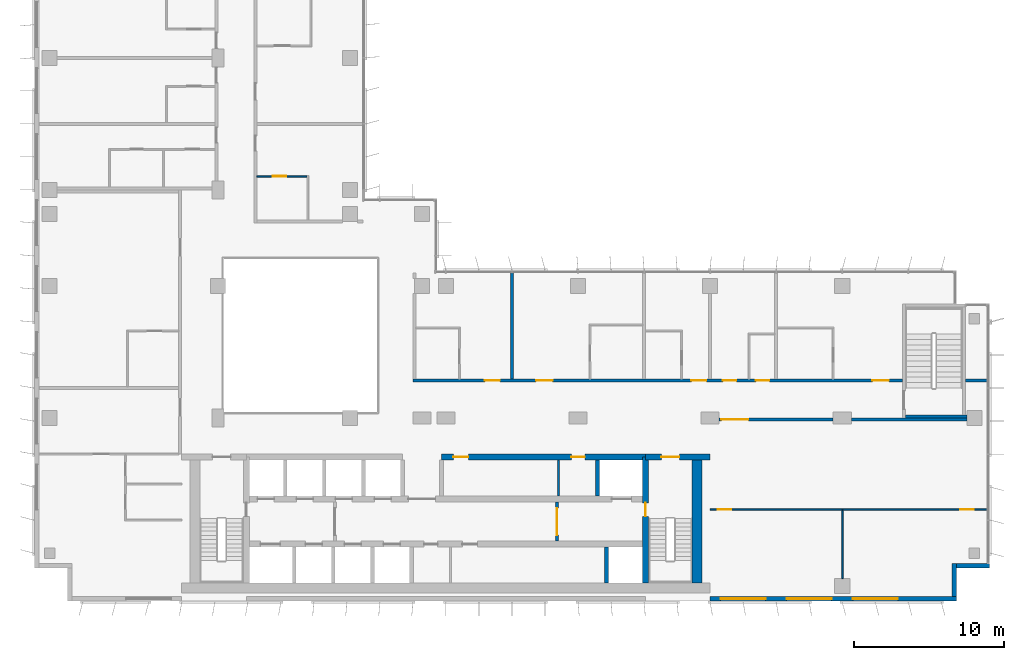
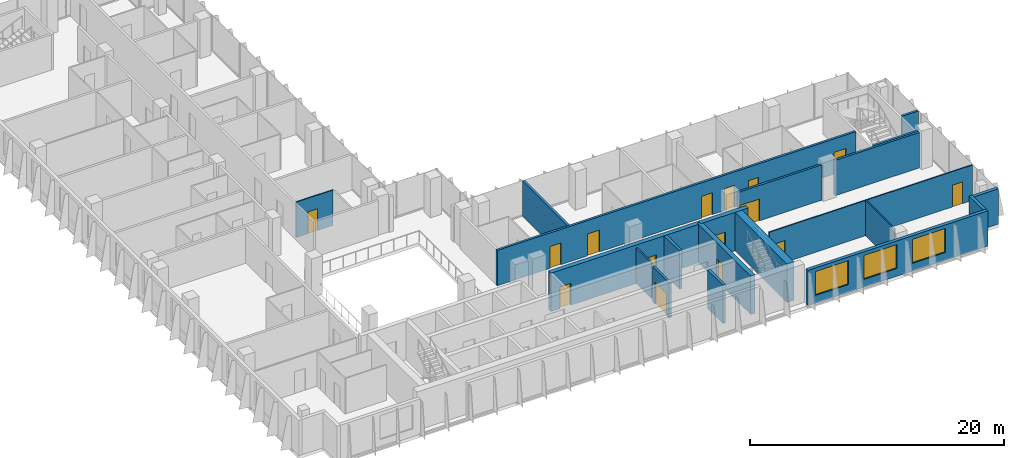
# One storey, part 14 of 21: 20 walls, 15 doors, 3 windows, 18 openings.
"""IFC4 building model written with IfcOpenShell, lengths in metres."""

from ifc_helpers import new_model, si_unit, direction, frame, frame_2d, origin, place, context, subcontext, project, spatial, rectangle, extrude, material, layer, layer_set, type_object, element, fill, save


model = new_model("IFC4")

# Units and contexts
model_context = context("Model", 3, precision=1e-05, world=origin(), true_north=direction((0.0, 1.0)))
body_context = subcontext(model_context, "Body", "Model", "MODEL_VIEW")
ifc_project = project(units=[si_unit("LENGTHUNIT", "METRE"), si_unit("AREAUNIT", "SQUARE_METRE"), si_unit("VOLUMEUNIT", "CUBIC_METRE"), si_unit("PLANEANGLEUNIT", "RADIAN"), si_unit("MASSUNIT", "GRAM", prefix="KILO")], contexts=[model_context])

# Site, building, storey
site_placement = place(None, origin())
site = spatial("IfcSite", under=ifc_project, at=site_placement, CompositionType="ELEMENT")
building_placement = place(site_placement, origin())
building = spatial("IfcBuilding", under=site, at=building_placement, Name="Kemantara Hotel Tower", CompositionType="ELEMENT")
storey_placement = place(building_placement, frame((0.0, 0.0, 179.0)))
storey = spatial("IfcBuildingStorey", under=building, at=storey_placement, Name="L44", CompositionType="ELEMENT", Elevation=179.0)

# Wall, openings, windows
ifc_material_1 = material(Name="Bronze anodised aluminium cladding on insulated steel stud wall", Category="steel")
ifc_layer_1 = layer(ifc_material_1, 0.300048828125)
ifc_layer_set_1 = layer_set([ifc_layer_1], Name="Bronze anodised aluminium cladding on insulated steel stud wall")
wall_type_1 = type_object("IfcWallType", Name="BRONZE METAL-CLAD EXTERNAL WALL 300", PredefinedType="STANDARD", material=ifc_layer_set_1)
wall_1_placement = place(storey_placement, frame((45.0, 0.14990234375, 0.0), z_axis=(0.0, 0.0, 1.0), x_axis=(1.0, 0.0, 0.0)))
wall_1 = element("IfcWall", 1, at=wall_1_placement, inside=storey, type_object=wall_type_1, Name="EXTERNAL WALL L44 T3-R08-3", PredefinedType="STANDARD", context=body_context, shape_type="SweptSolid", body=[
    extrude(rectangle(XDim=16.39990234375, YDim=0.300048828125, at=frame_2d((8.199951171875, 0.0))), origin(), (0.0, 0.0, 1.0), 3.39990234375),
])
opening_1_placement = place(wall_1_placement, frame((0.699951171875, 0.0, 0.75)))
opening_1 = element("IfcOpeningElement", 2, at=opening_1_placement, cuts=wall_1, Name="Opening W1", PredefinedType="OPENING", context=body_context, shape_type="SweptSolid", body=[
    extrude(rectangle(XDim=3.0, YDim=2.300048828125, at=frame_2d((1.5, 1.14990234375))), frame((0.0, 0.159912109375, 0.0), z_axis=(0.0, -1.0, 0.0), x_axis=(1.0, 0.0, 0.0)), (0.0, 0.0, 1.0), 0.320068359375),
])
opening_2_placement = place(wall_1_placement, frame((5.10009765625, 0.0, 0.75)))
opening_2 = element("IfcOpeningElement", 3, at=opening_2_placement, cuts=wall_1, Name="Opening W1", PredefinedType="OPENING", context=body_context, shape_type="SweptSolid", body=[
    extrude(rectangle(XDim=3.0, YDim=2.300048828125, at=frame_2d((1.5, 1.14990234375))), frame((0.0, 0.159912109375, 0.0), z_axis=(0.0, -1.0, 0.0), x_axis=(1.0, 0.0, 0.0)), (0.0, 0.0, 1.0), 0.320068359375),
])
opening_3_placement = place(wall_1_placement, frame((9.5, 0.0, 0.75)))
opening_3 = element("IfcOpeningElement", 4, at=opening_3_placement, cuts=wall_1, Name="Opening W1", PredefinedType="OPENING", context=body_context, shape_type="SweptSolid", body=[
    extrude(rectangle(XDim=3.0, YDim=2.300048828125, at=frame_2d((1.5, 1.14990234375))), frame((0.0, 0.159912109375, 0.0), z_axis=(0.0, -1.0, 0.0), x_axis=(1.0, 0.0, 0.0)), (0.0, 0.0, 1.0), 0.320068359375),
])
ifc_material_2 = material(Name="Low-E tinted double insulated glass in bronze anodised aluminium frame", Category="aluminium")
window_type = type_object("IfcWindowType", Name="CHICAGO WINDOW, TRIPLE PANEL 3000x2300", PartitioningType="TRIPLE_PANEL_VERTICAL", PredefinedType="WINDOW", material=ifc_material_2)
window_1_placement = place(opening_1_placement, origin())
window_1 = element("IfcWindow", 5, at=window_1_placement, inside=storey, type_object=window_type, Name="CHICAGO WINDOW L44 T3-R08-450", OverallHeight=2.300048828125, OverallWidth=3.0, PartitioningType="SINGLE_PANEL", PredefinedType="WINDOW", context=body_context, shape_type="SweptSolid", body=[
    extrude(rectangle(XDim=3.0, YDim=2.300048828125, at=frame_2d((1.5, 1.14990234375))), frame((0.0, 0.030029296875, 0.0), z_axis=(0.0, -1.0, 0.0), x_axis=(1.0, 0.0, 0.0)), (0.0, 0.0, 1.0), 0.06005859375),
])
fill(opening_1, window_1)
window_2_placement = place(opening_2_placement, origin())
window_2 = element("IfcWindow", 6, at=window_2_placement, inside=storey, type_object=window_type, Name="CHICAGO WINDOW L44 T3-R08-494", OverallHeight=2.300048828125, OverallWidth=3.0, PartitioningType="SINGLE_PANEL", PredefinedType="WINDOW", context=body_context, shape_type="SweptSolid", body=[
    extrude(rectangle(XDim=3.0, YDim=2.300048828125, at=frame_2d((1.5, 1.14990234375))), frame((0.0, 0.030029296875, 0.0), z_axis=(0.0, -1.0, 0.0), x_axis=(1.0, 0.0, 0.0)), (0.0, 0.0, 1.0), 0.06005859375),
])
fill(opening_2, window_2)
window_3_placement = place(opening_3_placement, origin())
window_3 = element("IfcWindow", 7, at=window_3_placement, inside=storey, type_object=window_type, Name="CHICAGO WINDOW L44 T3-R08-538", OverallHeight=2.300048828125, OverallWidth=3.0, PartitioningType="SINGLE_PANEL", PredefinedType="WINDOW", context=body_context, shape_type="SweptSolid", body=[
    extrude(rectangle(XDim=3.0, YDim=2.300048828125, at=frame_2d((1.5, 1.14990234375))), frame((0.0, 0.030029296875, 0.0), z_axis=(0.0, -1.0, 0.0), x_axis=(1.0, 0.0, 0.0)), (0.0, 0.0, 1.0), 0.06005859375),
])
fill(opening_3, window_3)

# Walls
wall_2_placement = place(storey_placement, frame((61.25, 0.300048828125, 0.0), z_axis=(0.0, 0.0, 1.0), x_axis=(0.0, 1.0, 0.0)))
element("IfcWall", 8, at=wall_2_placement, inside=storey, type_object=wall_type_1, Name="EXTERNAL WALL L44 T3-R09", PredefinedType="STANDARD", context=body_context, shape_type="SweptSolid", body=[
    extrude(rectangle(XDim=2.199951171875, YDim=0.300048828125, at=frame_2d((1.10009765625, 0.0))), origin(), (0.0, 0.0, 1.0), 3.39990234375),
])
wall_3_placement = place(storey_placement, frame((61.39990234375, 2.35009765625, 0.0), z_axis=(0.0, 0.0, 1.0), x_axis=(1.0, 0.0, 0.0)))
element("IfcWall", 9, at=wall_3_placement, inside=storey, type_object=wall_type_1, Name="EXTERNAL WALL L44 T3-R10", PredefinedType="STANDARD", context=body_context, shape_type="SweptSolid", body=[
    extrude(rectangle(XDim=2.2001953125, YDim=0.300048828125, at=frame_2d((1.10009765625, 0.0))), origin(), (0.0, 0.0, 1.0), 3.39990234375),
])
ifc_material_3 = material(Name="Concrete fc 60 MPa", Category="concrete")
ifc_layer_2 = layer(ifc_material_3, 0.25)
ifc_layer_set_2 = layer_set([ifc_layer_2], Name="Concrete fc 60 MPa")
wall_type_2 = type_object("IfcWallType", Name="CORE WALL 250 FC60", PredefinedType="SHEAR", material=ifc_layer_set_2)
wall_4_placement = place(storey_placement, frame((38.10009765625, 1.199951171875, 0.0), z_axis=(0.0, 0.0, 1.0), x_axis=(0.0, 1.0, 0.0)))
element("IfcWall", 10, at=wall_4_placement, inside=storey, type_object=wall_type_2, Name="CORE WALL CW-DS38.1", PredefinedType="SHEAR", context=body_context, shape_type="SweptSolid", body=[
    extrude(rectangle(XDim=2.400146484375, YDim=0.25, at=frame_2d((1.2001953125, 0.0))), origin(), (0.0, 0.0, 1.0), 3.699951171875),
])
wall_5_placement = place(storey_placement, frame((37.5, 7.0, 0.0), z_axis=(0.0, 0.0, 1.0), x_axis=(0.0, 1.0, 0.0)))
element("IfcWall", 11, at=wall_5_placement, inside=storey, type_object=wall_type_2, Name="CORE WALL CW-DN37.5", PredefinedType="SHEAR", context=body_context, shape_type="SweptSolid", body=[
    extrude(rectangle(XDim=2.39990234375, YDim=0.25, at=frame_2d((1.199951171875, 0.0))), origin(), (0.0, 0.0, 1.0), 3.699951171875),
])

# Wall, opening, door
ifc_layer_3 = layer(ifc_material_3, 0.39990234375)
ifc_layer_set_3 = layer_set([ifc_layer_3], Name="Concrete fc 60 MPa")
wall_type_3 = type_object("IfcWallType", Name="CORE WALL 400 FC60", PredefinedType="SHEAR", material=ifc_layer_set_3)
wall_6_placement = place(storey_placement, frame((40.699951171875, 9.60009765625, 0.0), z_axis=(0.0, 0.0, 1.0), x_axis=(1.0, 0.0, 0.0)))
wall_6 = element("IfcWall", 12, at=wall_6_placement, inside=storey, type_object=wall_type_3, Name="CORE WALL CW-N2", PredefinedType="SHEAR", context=body_context, shape_type="SweptSolid", body=[
    extrude(rectangle(XDim=4.300048828125, YDim=0.39990234375, at=frame_2d((2.14990234375, 0.0))), origin(), (0.0, 0.0, 1.0), 3.699951171875),
])
opening_4_placement = place(wall_6_placement, frame((1.050048828125, 0.0, 0.0)))
opening_4 = element("IfcOpeningElement", 13, at=opening_4_placement, cuts=wall_6, Name="Opening C27-ST2-C", PredefinedType="OPENING", context=body_context, shape_type="SweptSolid", body=[
    extrude(rectangle(XDim=1.199951171875, YDim=2.10009765625, at=frame_2d((0.60009765625, 1.050048828125))), frame((0.0, 0.2099609375, 0.0), z_axis=(0.0, -1.0, 0.0), x_axis=(1.0, 0.0, 0.0)), (0.0, 0.0, 1.0), 0.419921875),
])
ifc_material_4 = material(Name="Steel fire door", Category="steel")
door_type_1 = type_object("IfcDoorType", Name="Fire door FD90 1200 x 2100", OperationType="NOTDEFINED", PredefinedType="DOOR", material=ifc_material_4)
door_1_placement = place(opening_4_placement, frame((1.199951171875, 0.0, 0.0), z_axis=(0.0, 0.0, 1.0), x_axis=(-1.0, 0.0, 0.0)))
door_1 = element("IfcDoor", 14, at=door_1_placement, inside=storey, type_object=door_type_1, Name="Stair ST2 door to corridor", OperationType="SINGLE_SWING_RIGHT", OverallHeight=2.10009765625, OverallWidth=1.199951171875, PredefinedType="DOOR", context=body_context, shape_type="SweptSolid", body=[
    extrude(rectangle(XDim=1.199951171875, YDim=2.10009765625, at=frame_2d((0.60009765625, 1.050048828125))), frame((0.0, 0.02490234375, 0.0), z_axis=(0.0, -1.0, 0.0), x_axis=(1.0, 0.0, 0.0)), (0.0, 0.0, 1.0), 0.050048828125),
])
fill(opening_4, door_1)

# Wall, openings, doors
wall_7_placement = place(storey_placement, frame((27.10009765625, 9.60009765625, 0.0), z_axis=(0.0, 0.0, 1.0), x_axis=(1.0, 0.0, 0.0)))
wall_7 = element("IfcWall", 15, at=wall_7_placement, inside=storey, type_object=wall_type_3, Name="CORE WALL CW-NN2", PredefinedType="SHEAR", context=body_context, shape_type="SweptSolid", body=[
    extrude(rectangle(XDim=13.599853515625, YDim=0.39990234375, at=frame_2d((6.7998046875, 0.0))), origin(), (0.0, 0.0, 1.0), 3.699951171875),
])
opening_5_placement = place(wall_7_placement, frame((0.800048828125, 0.0, 0.0)))
opening_5 = element("IfcOpeningElement", 16, at=opening_5_placement, cuts=wall_7, Name="Opening C27-R-NE1", PredefinedType="OPENING", context=body_context, shape_type="SweptSolid", body=[
    extrude(rectangle(XDim=1.0, YDim=2.10009765625, at=frame_2d((0.5, 1.050048828125))), frame((0.0, 0.2099609375, 0.0), z_axis=(0.0, -1.0, 0.0), x_axis=(1.0, 0.0, 0.0)), (0.0, 0.0, 1.0), 0.419921875),
])
opening_6_placement = place(wall_7_placement, frame((8.64990234375, 0.0, 0.0)))
opening_6 = element("IfcOpeningElement", 17, at=opening_6_placement, cuts=wall_7, Name="Opening C27-R-NE2", PredefinedType="OPENING", context=body_context, shape_type="SweptSolid", body=[
    extrude(rectangle(XDim=0.89990234375, YDim=2.10009765625, at=frame_2d((0.449951171875, 1.050048828125))), frame((0.0, 0.2099609375, 0.0), z_axis=(0.0, -1.0, 0.0), x_axis=(1.0, 0.0, 0.0)), (0.0, 0.0, 1.0), 0.419921875),
])
door_type_2 = type_object("IfcDoorType", Name="Fire door FD30S 1000 x 2100", OperationType="NOTDEFINED", PredefinedType="DOOR", material=ifc_material_4)
door_2_placement = place(opening_5_placement, frame((1.0, 0.0, 0.0), z_axis=(0.0, 0.0, 1.0), x_axis=(-1.0, 0.0, 0.0)))
door_2 = element("IfcDoor", 18, at=door_2_placement, inside=storey, type_object=door_type_2, Name="Housekeeping Store door", OperationType="SINGLE_SWING_RIGHT", OverallHeight=2.10009765625, OverallWidth=1.0, PredefinedType="DOOR", context=body_context, shape_type="SweptSolid", body=[
    extrude(rectangle(XDim=1.0, YDim=2.10009765625, at=frame_2d((0.5, 1.050048828125))), frame((0.0, 0.02490234375, 0.0), z_axis=(0.0, -1.0, 0.0), x_axis=(1.0, 0.0, 0.0)), (0.0, 0.0, 1.0), 0.050048828125),
])
fill(opening_5, door_2)
door_type_3 = type_object("IfcDoorType", Name="Fire door FD60 900 x 2100", OperationType="NOTDEFINED", PredefinedType="DOOR", material=ifc_material_4)
door_3_placement = place(opening_6_placement, frame((0.89990234375, 0.0, 0.0), z_axis=(0.0, 0.0, 1.0), x_axis=(-1.0, 0.0, 0.0)))
door_3 = element("IfcDoor", 19, at=door_3_placement, inside=storey, type_object=door_type_3, Name="It Equipment Room door", OperationType="SINGLE_SWING_LEFT", OverallHeight=2.10009765625, OverallWidth=0.89990234375, PredefinedType="DOOR", context=body_context, shape_type="SweptSolid", body=[
    extrude(rectangle(XDim=0.89990234375, YDim=2.10009765625, at=frame_2d((0.449951171875, 1.050048828125))), frame((0.0, 0.02490234375, 0.0), z_axis=(0.0, -1.0, 0.0), x_axis=(1.0, 0.0, 0.0)), (0.0, 0.0, 1.0), 0.050048828125),
])
fill(opening_6, door_3)

# Wall, opening, door
wall_8_placement = place(storey_placement, frame((40.699951171875, 1.199951171875, 0.0), z_axis=(0.0, 0.0, 1.0), x_axis=(0.0, 1.0, 0.0)))
wall_8 = element("IfcWall", 20, at=wall_8_placement, inside=storey, type_object=wall_type_3, Name="CORE WALL CW-ST2W", PredefinedType="SHEAR", context=body_context, shape_type="SweptSolid", body=[
    extrude(rectangle(XDim=8.400146484375, YDim=0.39990234375, at=frame_2d((4.2001953125, 0.0))), origin(), (0.0, 0.0, 1.0), 3.699951171875),
])
opening_7_placement = place(wall_8_placement, frame((4.449951171875, 0.0, 0.0)))
opening_7 = element("IfcOpeningElement", 21, at=opening_7_placement, cuts=wall_8, Name="Opening C27-ST2-F", PredefinedType="OPENING", context=body_context, shape_type="SweptSolid", body=[
    extrude(rectangle(XDim=0.89990234375, YDim=2.10009765625, at=frame_2d((0.449951171875, 1.050048828125))), frame((0.0, 0.2099609375, 0.0), z_axis=(0.0, -1.0, 0.0), x_axis=(1.0, 0.0, 0.0)), (0.0, 0.0, 1.0), 0.419921875),
])
door_type_4 = type_object("IfcDoorType", Name="Fire door FD90 900 x 2100", OperationType="NOTDEFINED", PredefinedType="DOOR", material=ifc_material_4)
door_4_placement = place(opening_7_placement, frame((0.89990234375, 0.0, 0.0), z_axis=(0.0, 0.0, 1.0), x_axis=(-1.0, 0.0, 0.0)))
door_4 = element("IfcDoor", 22, at=door_4_placement, inside=storey, type_object=door_type_4, Name="Stair ST2 door to firefighting lobby", OperationType="SINGLE_SWING_LEFT", OverallHeight=2.10009765625, OverallWidth=0.89990234375, PredefinedType="DOOR", context=body_context, shape_type="SweptSolid", body=[
    extrude(rectangle(XDim=0.89990234375, YDim=2.10009765625, at=frame_2d((0.449951171875, 1.050048828125))), frame((0.0, 0.02490234375, 0.0), z_axis=(0.0, -1.0, 0.0), x_axis=(1.0, 0.0, 0.0)), (0.0, 0.0, 1.0), 0.050048828125),
])
fill(opening_7, door_4)

# Wall
ifc_layer_4 = layer(ifc_material_3, 0.64990234375)
ifc_layer_set_4 = layer_set([ifc_layer_4], Name="Concrete fc 60 MPa")
wall_type_4 = type_object("IfcWallType", Name="CORE WALL 650 FC60", PredefinedType="SHEAR", material=ifc_layer_set_4)
wall_9_placement = place(storey_placement, frame((44.125, 1.199951171875, 0.0), z_axis=(0.0, 0.0, 1.0), x_axis=(0.0, 1.0, 0.0)))
element("IfcWall", 23, at=wall_9_placement, inside=storey, type_object=wall_type_4, Name="CORE WALL CW-E", PredefinedType="SHEAR", context=body_context, shape_type="SweptSolid", body=[
    extrude(rectangle(XDim=8.60009765625, YDim=0.64990234375, at=frame_2d((4.300048828125, 0.0))), origin(), (0.0, 0.0, 1.0), 3.699951171875),
])

# Wall, opening, door
ifc_material_5 = material(Name="Gypsum board partition, steel studs and mineral wool, 200 mm", Category="steel")
ifc_layer_5 = layer(ifc_material_5, 0.199951171875)
ifc_layer_set_5 = layer_set([ifc_layer_5], Name="Gypsum board partition, steel studs and mineral wool, 200 mm")
wall_type_5 = type_object("IfcWallType", Name="CORRIDOR WALL 200", PredefinedType="PARTITIONING", material=ifc_layer_set_5)
wall_10_placement = place(storey_placement, frame((53.199951171875, 12.10009765625, 0.0), z_axis=(0.0, 0.0, 1.0), x_axis=(-1.0, 0.0, 0.0)))
wall_10 = element("IfcWall", 24, at=wall_10_placement, inside=storey, type_object=wall_type_5, Name="CORRIDOR WALL 200 001", PredefinedType="PARTITIONING", context=body_context, shape_type="SweptSolid", body=[
    extrude(rectangle(XDim=7.599853515625, YDim=0.199951171875, at=frame_2d((3.7998046875, 0.0))), origin(), (0.0, 0.0, 1.0), 3.39990234375),
])
opening_8_placement = place(wall_10_placement, frame((5.64990234375, 0.0, 0.0)))
opening_8 = element("IfcOpeningElement", 25, at=opening_8_placement, cuts=wall_10, Name="Opening F20-001", PredefinedType="OPENING", context=body_context, shape_type="SweptSolid", body=[
    extrude(rectangle(XDim=1.800048828125, YDim=2.10009765625, at=frame_2d((0.89990234375, 1.050048828125))), frame((0.0, 0.10986328125, 0.0), z_axis=(0.0, -1.0, 0.0), x_axis=(1.0, 0.0, 0.0)), (0.0, 0.0, 1.0), 0.219970703125),
])
ifc_material_6 = material(Name="Hardwood veneer door leaf with steel frame", Category="steel")
door_type_5 = type_object("IfcDoorType", Name="AMENITY ROOM DOOR 1800 X 2100 FD30S", OperationType="NOTDEFINED", PredefinedType="DOOR", material=ifc_material_6)
door_5_placement = place(opening_8_placement, origin())
door_5 = element("IfcDoor", 26, at=door_5_placement, inside=storey, type_object=door_type_5, Name="AMENITY ROOM DOOR F20-001", OperationType="DOUBLE_DOOR_SINGLE_SWING", OverallHeight=2.10009765625, OverallWidth=1.800048828125, PredefinedType="DOOR", context=body_context, shape_type="SweptSolid", body=[
    extrude(rectangle(XDim=1.800048828125, YDim=2.10009765625, at=frame_2d((0.89990234375, 1.050048828125))), frame((0.0, 0.02490234375, 0.0), z_axis=(0.0, -1.0, 0.0), x_axis=(1.0, 0.0, 0.0)), (0.0, 0.0, 1.0), 0.050048828125),
])
fill(opening_8, door_5)

# Wall
wall_11_placement = place(storey_placement, frame((54.400146484375, 12.10009765625, 0.0), z_axis=(0.0, 0.0, 1.0), x_axis=(1.0, 0.0, 0.0)))
element("IfcWall", 27, at=wall_11_placement, inside=storey, type_object=wall_type_5, Name="CORRIDOR WALL 200 002", PredefinedType="PARTITIONING", context=body_context, shape_type="SweptSolid", body=[
    extrude(rectangle(XDim=7.69970703125, YDim=0.199951171875, at=frame_2d((3.849853515625, 0.0))), origin(), (0.0, 0.0, 1.0), 3.39990234375),
])

# Wall, openings, doors
wall_12_placement = place(storey_placement, frame((25.199951171875, 14.699951171875, 0.0), z_axis=(0.0, 0.0, 1.0), x_axis=(1.0, 0.0, 0.0)))
wall_12 = element("IfcWall", 28, at=wall_12_placement, inside=storey, type_object=wall_type_5, Name="CORRIDOR WALL 200 003", PredefinedType="PARTITIONING", context=body_context, shape_type="SweptSolid", body=[
    extrude(rectangle(XDim=32.60009765625, YDim=0.199951171875, at=frame_2d((16.300048828125, 0.0))), origin(), (0.0, 0.0, 1.0), 3.39990234375),
])
opening_9_placement = place(wall_12_placement, frame((4.800048828125, 0.0, 0.0)))
opening_9 = element("IfcOpeningElement", 29, at=opening_9_placement, cuts=wall_12, Name="Opening F20-004", PredefinedType="OPENING", context=body_context, shape_type="SweptSolid", body=[
    extrude(rectangle(XDim=1.0, YDim=2.10009765625, at=frame_2d((0.5, 1.050048828125))), frame((0.0, 0.10986328125, 0.0), z_axis=(0.0, -1.0, 0.0), x_axis=(1.0, 0.0, 0.0)), (0.0, 0.0, 1.0), 0.219970703125),
])
opening_10_placement = place(wall_12_placement, frame((8.199951171875, 0.0, 0.0)))
opening_10 = element("IfcOpeningElement", 30, at=opening_10_placement, cuts=wall_12, Name="Opening F20-006", PredefinedType="OPENING", context=body_context, shape_type="SweptSolid", body=[
    extrude(rectangle(XDim=1.10009765625, YDim=2.10009765625, at=frame_2d((0.550048828125, 1.050048828125))), frame((0.0, 0.10986328125, 0.0), z_axis=(0.0, -1.0, 0.0), x_axis=(1.0, 0.0, 0.0)), (0.0, 0.0, 1.0), 0.219970703125),
])
opening_11_placement = place(wall_12_placement, frame((18.550048828125, 0.0, 0.0)))
opening_11 = element("IfcOpeningElement", 31, at=opening_11_placement, cuts=wall_12, Name="Opening F20-008", PredefinedType="OPENING", context=body_context, shape_type="SweptSolid", body=[
    extrude(rectangle(XDim=1.0, YDim=2.10009765625, at=frame_2d((0.5, 1.050048828125))), frame((0.0, 0.10986328125, 0.0), z_axis=(0.0, -1.0, 0.0), x_axis=(1.0, 0.0, 0.0)), (0.0, 0.0, 1.0), 0.219970703125),
])
opening_12_placement = place(wall_12_placement, frame((20.64990234375, 0.0, 0.0)))
opening_12 = element("IfcOpeningElement", 32, at=opening_12_placement, cuts=wall_12, Name="Opening F20-010", PredefinedType="OPENING", context=body_context, shape_type="SweptSolid", body=[
    extrude(rectangle(XDim=0.89990234375, YDim=2.10009765625, at=frame_2d((0.449951171875, 1.050048828125))), frame((0.0, 0.10986328125, 0.0), z_axis=(0.0, -1.0, 0.0), x_axis=(1.0, 0.0, 0.0)), (0.0, 0.0, 1.0), 0.219970703125),
])
opening_13_placement = place(wall_12_placement, frame((22.85009765625, 0.0, 0.0)))
opening_13 = element("IfcOpeningElement", 33, at=opening_13_placement, cuts=wall_12, Name="Opening F20-011", PredefinedType="OPENING", context=body_context, shape_type="SweptSolid", body=[
    extrude(rectangle(XDim=0.89990234375, YDim=2.10009765625, at=frame_2d((0.449951171875, 1.050048828125))), frame((0.0, 0.10986328125, 0.0), z_axis=(0.0, -1.0, 0.0), x_axis=(1.0, 0.0, 0.0)), (0.0, 0.0, 1.0), 0.219970703125),
])
opening_14_placement = place(wall_12_placement, frame((30.60009765625, 0.0, 0.0)))
opening_14 = element("IfcOpeningElement", 34, at=opening_14_placement, cuts=wall_12, Name="Opening F20-012", PredefinedType="OPENING", context=body_context, shape_type="SweptSolid", body=[
    extrude(rectangle(XDim=1.10009765625, YDim=2.10009765625, at=frame_2d((0.550048828125, 1.050048828125))), frame((0.0, 0.10986328125, 0.0), z_axis=(0.0, -1.0, 0.0), x_axis=(1.0, 0.0, 0.0)), (0.0, 0.0, 1.0), 0.219970703125),
])
door_type_6 = type_object("IfcDoorType", Name="GUEST ROOM DOOR 1000 X 2100 FD30S", OperationType="NOTDEFINED", PredefinedType="DOOR", material=ifc_material_6)
door_6_placement = place(opening_9_placement, origin())
door_6 = element("IfcDoor", 35, at=door_6_placement, inside=storey, type_object=door_type_6, Name="GUEST ROOM DOOR F20-004", OperationType="SINGLE_SWING_RIGHT", OverallHeight=2.10009765625, OverallWidth=1.0, PredefinedType="DOOR", context=body_context, shape_type="SweptSolid", body=[
    extrude(rectangle(XDim=1.0, YDim=2.10009765625, at=frame_2d((0.5, 1.050048828125))), frame((0.0, 0.02490234375, 0.0), z_axis=(0.0, -1.0, 0.0), x_axis=(1.0, 0.0, 0.0)), (0.0, 0.0, 1.0), 0.050048828125),
])
fill(opening_9, door_6)
door_7_placement = place(opening_11_placement, origin())
door_7 = element("IfcDoor", 36, at=door_7_placement, inside=storey, type_object=door_type_6, Name="GUEST ROOM DOOR F20-008", OperationType="SINGLE_SWING_RIGHT", OverallHeight=2.10009765625, OverallWidth=1.0, PredefinedType="DOOR", context=body_context, shape_type="SweptSolid", body=[
    extrude(rectangle(XDim=1.0, YDim=2.10009765625, at=frame_2d((0.5, 1.050048828125))), frame((0.0, 0.02490234375, 0.0), z_axis=(0.0, -1.0, 0.0), x_axis=(1.0, 0.0, 0.0)), (0.0, 0.0, 1.0), 0.050048828125),
])
fill(opening_11, door_7)
door_type_7 = type_object("IfcDoorType", Name="GUEST ROOM DOOR 1100 X 2100 FD30S", OperationType="NOTDEFINED", PredefinedType="DOOR", material=ifc_material_6)
door_8_placement = place(opening_10_placement, origin())
door_8 = element("IfcDoor", 37, at=door_8_placement, inside=storey, type_object=door_type_7, Name="GUEST ROOM DOOR F20-006", OperationType="SINGLE_SWING_LEFT", OverallHeight=2.10009765625, OverallWidth=1.10009765625, PredefinedType="DOOR", context=body_context, shape_type="SweptSolid", body=[
    extrude(rectangle(XDim=1.10009765625, YDim=2.10009765625, at=frame_2d((0.550048828125, 1.050048828125))), frame((0.0, 0.02490234375, 0.0), z_axis=(0.0, -1.0, 0.0), x_axis=(1.0, 0.0, 0.0)), (0.0, 0.0, 1.0), 0.050048828125),
])
fill(opening_10, door_8)
ifc_material_7 = material(Name="Steel door leaf with steel frame", Category="steel")
door_type_8 = type_object("IfcDoorType", Name="SERVICE ROOM DOOR 900 X 2100 FD60", OperationType="NOTDEFINED", PredefinedType="DOOR", material=ifc_material_7)
door_9_placement = place(opening_12_placement, origin())
door_9 = element("IfcDoor", 38, at=door_9_placement, inside=storey, type_object=door_type_8, Name="SERVICE ROOM DOOR F20-010", OperationType="SINGLE_SWING_LEFT", OverallHeight=2.10009765625, OverallWidth=0.89990234375, PredefinedType="DOOR", context=body_context, shape_type="SweptSolid", body=[
    extrude(rectangle(XDim=0.89990234375, YDim=2.10009765625, at=frame_2d((0.449951171875, 1.050048828125))), frame((0.0, 0.02490234375, 0.0), z_axis=(0.0, -1.0, 0.0), x_axis=(1.0, 0.0, 0.0)), (0.0, 0.0, 1.0), 0.050048828125),
])
fill(opening_12, door_9)
door_10_placement = place(opening_13_placement, origin())
door_10 = element("IfcDoor", 39, at=door_10_placement, inside=storey, type_object=door_type_8, Name="SERVICE ROOM DOOR F20-011", OperationType="SINGLE_SWING_RIGHT", OverallHeight=2.10009765625, OverallWidth=0.89990234375, PredefinedType="DOOR", context=body_context, shape_type="SweptSolid", body=[
    extrude(rectangle(XDim=0.89990234375, YDim=2.10009765625, at=frame_2d((0.449951171875, 1.050048828125))), frame((0.0, 0.02490234375, 0.0), z_axis=(0.0, -1.0, 0.0), x_axis=(1.0, 0.0, 0.0)), (0.0, 0.0, 1.0), 0.050048828125),
])
fill(opening_13, door_10)
door_type_9 = type_object("IfcDoorType", Name="SUITE ENTRANCE DOOR 1100 X 2100 FD30S", OperationType="NOTDEFINED", PredefinedType="DOOR", material=ifc_material_6)
door_11_placement = place(opening_14_placement, origin())
door_11 = element("IfcDoor", 40, at=door_11_placement, inside=storey, type_object=door_type_9, Name="SUITE ENTRANCE DOOR F20-012", OperationType="SINGLE_SWING_RIGHT", OverallHeight=2.10009765625, OverallWidth=1.10009765625, PredefinedType="DOOR", context=body_context, shape_type="SweptSolid", body=[
    extrude(rectangle(XDim=1.10009765625, YDim=2.10009765625, at=frame_2d((0.550048828125, 1.050048828125))), frame((0.0, 0.02490234375, 0.0), z_axis=(0.0, -1.0, 0.0), x_axis=(1.0, 0.0, 0.0)), (0.0, 0.0, 1.0), 0.050048828125),
])
fill(opening_14, door_11)

# Walls
wall_13_placement = place(storey_placement, frame((62.0, 14.699951171875, 0.0), z_axis=(0.0, 0.0, 1.0), x_axis=(1.0, 0.0, 0.0)))
element("IfcWall", 41, at=wall_13_placement, inside=storey, type_object=wall_type_5, Name="CORRIDOR WALL 200 004", PredefinedType="PARTITIONING", context=body_context, shape_type="SweptSolid", body=[
    extrude(rectangle(XDim=1.47998046875, YDim=0.199951171875, at=frame_2d((0.739990234375, 0.0))), origin(), (0.0, 0.0, 1.0), 3.39990234375),
])
ifc_material_8 = material(Name="Concrete fc 40 MPa", Category="concrete")
ifc_layer_6 = layer(ifc_material_8, 0.199951171875)
ifc_layer_set_6 = layer_set([ifc_layer_6], Name="Concrete fc 40 MPa")
wall_type_6 = type_object("IfcWallType", Name="Concrete stair wall 200 mm", PredefinedType="SHEAR", material=ifc_layer_set_6)
wall_14_placement = place(storey_placement, frame((58.0, 12.300048828125, 0.0), z_axis=(0.0, 0.0, 1.0), x_axis=(1.0, 0.0, 0.0)))
element("IfcWall", 42, at=wall_14_placement, inside=storey, type_object=wall_type_6, Name="Stair ST3 enclosure wall S", PredefinedType="SHEAR", context=body_context, shape_type="SweptSolid", body=[
    extrude(rectangle(XDim=4.10009765625, YDim=0.199951171875, at=frame_2d((2.050048828125, 0.0))), origin(), (0.0, 0.0, 1.0), 3.39990234375),
])
ifc_layer_7 = layer(ifc_material_5, 0.199951171875)
ifc_layer_set_7 = layer_set([ifc_layer_7], Name="Gypsum board partition, steel studs and mineral wool, 200 mm")
wall_type_7 = type_object("IfcWallType", Name="GUEST ROOM PARTY WALL 200", PredefinedType="PARTITIONING", material=ifc_layer_set_7)
wall_15_placement = place(storey_placement, frame((31.800048828125, 14.800048828125, 0.0), z_axis=(0.0, 0.0, 1.0), x_axis=(0.0, 1.0, 0.0)))
element("IfcWall", 43, at=wall_15_placement, inside=storey, type_object=wall_type_7, Name="GUEST ROOM PARTY WALL 200 007", PredefinedType="PARTITIONING", context=body_context, shape_type="SweptSolid", body=[
    extrude(rectangle(XDim=7.070068359375, YDim=0.199951171875, at=frame_2d((3.53515625, 0.0))), origin(), (0.0, 0.0, 1.0), 3.39990234375),
])
ifc_material_9 = material(Name="Gypsum board partition")
ifc_layer_8 = layer(ifc_material_9, 0.14990234375)
ifc_layer_set_8 = layer_set([ifc_layer_8], Name="Gypsum board partition")
wall_type_8 = type_object("IfcWallType", Name="Gypsum board partition 150 mm", PredefinedType="PARTITIONING", material=ifc_layer_set_8)
wall_16_placement = place(storey_placement, frame((34.89990234375, 7.0, 0.0), z_axis=(0.0, 0.0, 1.0), x_axis=(0.0, 1.0, 0.0)))
element("IfcWall", 44, at=wall_16_placement, inside=storey, type_object=wall_type_8, Name="Core room partition", PredefinedType="PARTITIONING", context=body_context, shape_type="SweptSolid", body=[
    extrude(rectangle(XDim=2.39990234375, YDim=0.14990234375, at=frame_2d((1.199951171875, 0.0))), origin(), (0.0, 0.0, 1.0), 3.39990234375),
])

# Wall, opening, door
ifc_material_10 = material(Name="Gypsum board shaft wall")
ifc_layer_9 = layer(ifc_material_10, 0.199951171875)
ifc_layer_set_9 = layer_set([ifc_layer_9], Name="Gypsum board shaft wall")
wall_type_9 = type_object("IfcWallType", Name="Gypsum board shaft wall 200 mm", PredefinedType="PARTITIONING", material=ifc_layer_set_9)
wall_17_placement = place(storey_placement, frame((34.800048828125, 4.0, 0.0), z_axis=(0.0, 0.0, 1.0), x_axis=(0.0, 1.0, 0.0)))
wall_17 = element("IfcWall", 45, at=wall_17_placement, inside=storey, type_object=wall_type_9, Name="Firefighting lobby partition east", PredefinedType="PARTITIONING", context=body_context, shape_type="SweptSolid", body=[
    extrude(rectangle(XDim=2.60009765625, YDim=0.199951171875, at=frame_2d((1.300048828125, 0.0))), origin(), (0.0, 0.0, 1.0), 3.39990234375),
])
opening_15_placement = place(wall_17_placement, frame((0.39990234375, 0.0, 0.0)))
opening_15 = element("IfcOpeningElement", 46, at=opening_15_placement, cuts=wall_17, Name="Opening C27-FFE", PredefinedType="OPENING", context=body_context, shape_type="SweptSolid", body=[
    extrude(rectangle(XDim=1.800048828125, YDim=2.10009765625, at=frame_2d((0.89990234375, 1.050048828125))), frame((0.0, 0.10986328125, 0.0), z_axis=(0.0, -1.0, 0.0), x_axis=(1.0, 0.0, 0.0)), (0.0, 0.0, 1.0), 0.219970703125),
])
door_type_10 = type_object("IfcDoorType", Name="Fire door pair FD60 1800 x 2100", OperationType="DOUBLE_DOOR_SINGLE_SWING", PredefinedType="DOOR", material=ifc_material_4)
door_12_placement = place(opening_15_placement, frame((1.800048828125, 0.0, 0.0), z_axis=(0.0, 0.0, 1.0), x_axis=(-1.0, 0.0, 0.0)))
door_12 = element("IfcDoor", 47, at=door_12_placement, inside=storey, type_object=door_type_10, Name="Firefighting lobby door east", OperationType="DOUBLE_DOOR_SINGLE_SWING", OverallHeight=2.10009765625, OverallWidth=1.800048828125, PredefinedType="DOOR", context=body_context, shape_type="SweptSolid", body=[
    extrude(rectangle(XDim=1.800048828125, YDim=2.10009765625, at=frame_2d((0.89990234375, 1.050048828125))), frame((0.0, 0.02490234375, 0.0), z_axis=(0.0, -1.0, 0.0), x_axis=(1.0, 0.0, 0.0)), (0.0, 0.0, 1.0), 0.050048828125),
])
fill(opening_15, door_12)

# Wall, openings, doors
ifc_material_11 = material(Name="Gypsum board partition on steel studs, 100 mm", Category="steel")
ifc_layer_10 = layer(ifc_material_11, 0.10009765625)
ifc_layer_set_10 = layer_set([ifc_layer_10], Name="Gypsum board partition on steel studs, 100 mm")
wall_type_10 = type_object("IfcWallType", Name="ROOM PARTITION 100", PredefinedType="PARTITIONING", material=ifc_layer_set_10)
wall_18_placement = place(storey_placement, frame((63.469970703125, 6.10009765625, 0.0), z_axis=(0.0, 0.0, 1.0), x_axis=(-1.0, 0.0, 0.0)))
wall_18 = element("IfcWall", 48, at=wall_18_placement, inside=storey, type_object=wall_type_10, Name="ROOM PARTITION 100 030", PredefinedType="PARTITIONING", context=body_context, shape_type="SweptSolid", body=[
    extrude(rectangle(XDim=18.469970703125, YDim=0.10009765625, at=frame_2d((9.23486328125, 0.0))), origin(), (0.0, 0.0, 1.0), 3.39990234375),
])
opening_16_placement = place(wall_18_placement, frame((17.070068359375, 0.0, 0.0)))
opening_16 = element("IfcOpeningElement", 49, at=opening_16_placement, cuts=wall_18, Name="Opening F20-002", PredefinedType="OPENING", context=body_context, shape_type="SweptSolid", body=[
    extrude(rectangle(XDim=0.89990234375, YDim=2.10009765625, at=frame_2d((0.449951171875, 1.050048828125))), frame((0.0, 0.06005859375, 0.0), z_axis=(0.0, -1.0, 0.0), x_axis=(1.0, 0.0, 0.0)), (0.0, 0.0, 1.0), 0.1201171875),
])
opening_17_placement = place(wall_18_placement, frame((0.919921875, 0.0, 0.0)))
opening_17 = element("IfcOpeningElement", 50, at=opening_17_placement, cuts=wall_18, Name="Opening F20-003", PredefinedType="OPENING", context=body_context, shape_type="SweptSolid", body=[
    extrude(rectangle(XDim=0.89990234375, YDim=2.10009765625, at=frame_2d((0.449951171875, 1.050048828125))), frame((0.0, 0.06005859375, 0.0), z_axis=(0.0, -1.0, 0.0), x_axis=(1.0, 0.0, 0.0)), (0.0, 0.0, 1.0), 0.1201171875),
])
door_type_11 = type_object("IfcDoorType", Name="INTERNAL DOOR 900 X 2100", OperationType="NOTDEFINED", PredefinedType="DOOR", material=ifc_material_6)
door_13_placement = place(opening_16_placement, origin())
door_13 = element("IfcDoor", 51, at=door_13_placement, inside=storey, type_object=door_type_11, Name="INTERNAL DOOR F20-002", OperationType="SINGLE_SWING_RIGHT", OverallHeight=2.10009765625, OverallWidth=0.89990234375, PredefinedType="DOOR", context=body_context, shape_type="SweptSolid", body=[
    extrude(rectangle(XDim=0.89990234375, YDim=2.10009765625, at=frame_2d((0.449951171875, 1.050048828125))), frame((0.0, 0.02490234375, 0.0), z_axis=(0.0, -1.0, 0.0), x_axis=(1.0, 0.0, 0.0)), (0.0, 0.0, 1.0), 0.050048828125),
])
fill(opening_16, door_13)
door_14_placement = place(opening_17_placement, origin())
door_14 = element("IfcDoor", 52, at=door_14_placement, inside=storey, type_object=door_type_11, Name="INTERNAL DOOR F20-003", OperationType="SINGLE_SWING_LEFT", OverallHeight=2.10009765625, OverallWidth=0.89990234375, PredefinedType="DOOR", context=body_context, shape_type="SweptSolid", body=[
    extrude(rectangle(XDim=0.89990234375, YDim=2.10009765625, at=frame_2d((0.449951171875, 1.050048828125))), frame((0.0, 0.02490234375, 0.0), z_axis=(0.0, -1.0, 0.0), x_axis=(1.0, 0.0, 0.0)), (0.0, 0.0, 1.0), 0.050048828125),
])
fill(opening_17, door_14)

# Wall
wall_19_placement = place(storey_placement, frame((53.800048828125, 1.5, 0.0), z_axis=(0.0, 0.0, 1.0), x_axis=(0.0, 1.0, 0.0)))
element("IfcWall", 53, at=wall_19_placement, inside=storey, type_object=wall_type_10, Name="ROOM PARTITION 100 031", PredefinedType="PARTITIONING", context=body_context, shape_type="SweptSolid", body=[
    extrude(rectangle(XDim=4.550048828125, YDim=0.10009765625, at=frame_2d((2.27490234375, 0.0))), origin(), (0.0, 0.0, 1.0), 3.39990234375),
])

# Wall, opening, door
wall_20_placement = place(storey_placement, frame((18.14990234375, 28.300048828125, 0.0), z_axis=(0.0, 0.0, 1.0), x_axis=(-1.0, 0.0, 0.0)))
wall_20 = element("IfcWall", 54, at=wall_20_placement, inside=storey, type_object=wall_type_10, Name="ROOM PARTITION 100 061", PredefinedType="PARTITIONING", context=body_context, shape_type="SweptSolid", body=[
    extrude(rectangle(XDim=3.349853515625, YDim=0.10009765625, at=frame_2d((1.6748046875, 0.0))), origin(), (0.0, 0.0, 1.0), 3.39990234375),
])
opening_18_placement = place(wall_20_placement, frame((1.39990234375, 0.0, 0.0)))
opening_18 = element("IfcOpeningElement", 55, at=opening_18_placement, cuts=wall_20, Name="Opening F20-034", PredefinedType="OPENING", context=body_context, shape_type="SweptSolid", body=[
    extrude(rectangle(XDim=0.89990234375, YDim=2.10009765625, at=frame_2d((0.449951171875, 1.050048828125))), frame((0.0, 0.06005859375, 0.0), z_axis=(0.0, -1.0, 0.0), x_axis=(1.0, 0.0, 0.0)), (0.0, 0.0, 1.0), 0.1201171875),
])
door_type_12 = type_object("IfcDoorType", Name="BATHROOM DOOR 900 X 2100", OperationType="NOTDEFINED", PredefinedType="DOOR", material=ifc_material_6)
door_15_placement = place(opening_18_placement, origin())
door_15 = element("IfcDoor", 56, at=door_15_placement, inside=storey, type_object=door_type_12, Name="BATHROOM DOOR F20-034", OperationType="SINGLE_SWING_RIGHT", OverallHeight=2.10009765625, OverallWidth=0.89990234375, PredefinedType="DOOR", context=body_context, shape_type="SweptSolid", body=[
    extrude(rectangle(XDim=0.89990234375, YDim=2.10009765625, at=frame_2d((0.449951171875, 1.050048828125))), frame((0.0, 0.02490234375, 0.0), z_axis=(0.0, -1.0, 0.0), x_axis=(1.0, 0.0, 0.0)), (0.0, 0.0, 1.0), 0.050048828125),
])
fill(opening_18, door_15)

save(model, "model.ifc")
